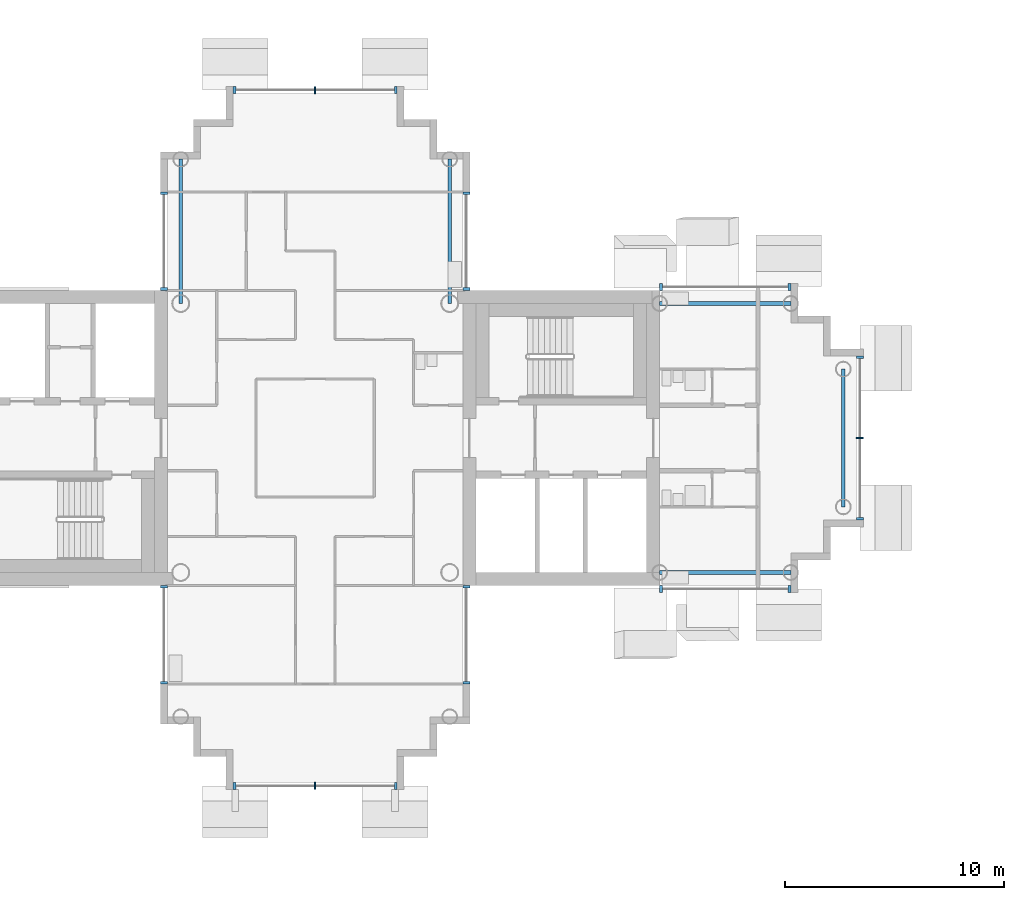
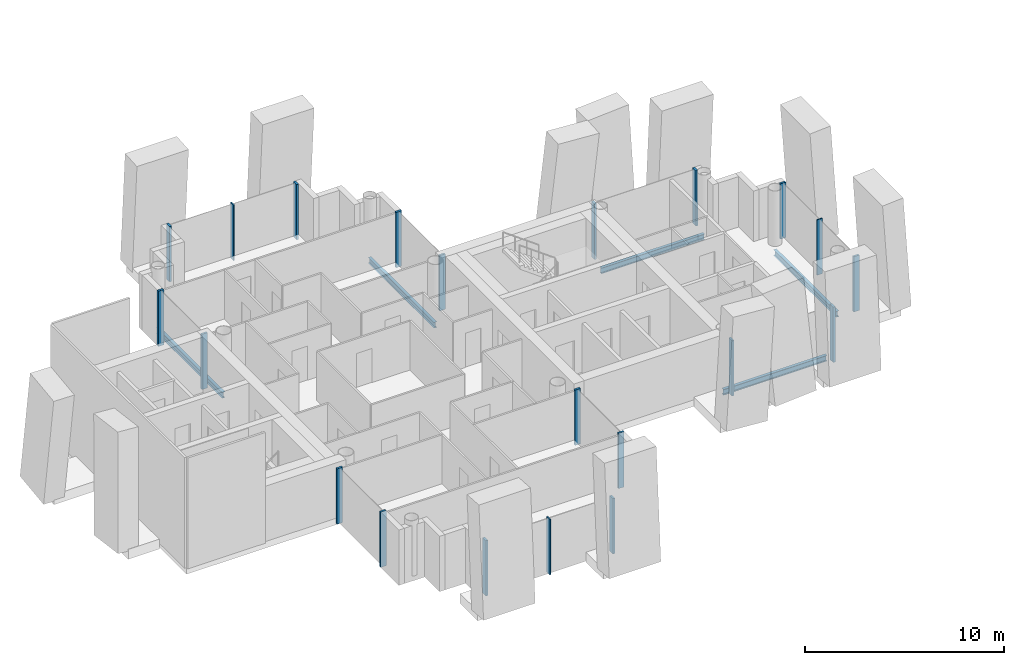
# One storey, part 3 of 19: 21 members, 5 beams, 9 elements without a shape of their own.
"""IFC4 building model written with IfcOpenShell, lengths in metres."""

from ifc_helpers import new_model, si_unit, direction, frame, origin, origin_2d, place, context, subcontext, project, spatial, rectangle, i_section, extrude, material, layer, layer_set, material_profile, profile_set, type_object, element, aggregate, save


model = new_model("IFC4")

# Units and contexts
model_context = context("Model", 3, precision=1e-05, world=origin(), true_north=direction((0.0, 1.0)))
body_context = subcontext(model_context, "Body", "Model", "MODEL_VIEW")
ifc_project = project(units=[si_unit("LENGTHUNIT", "METRE"), si_unit("AREAUNIT", "SQUARE_METRE"), si_unit("VOLUMEUNIT", "CUBIC_METRE"), si_unit("PLANEANGLEUNIT", "RADIAN"), si_unit("MASSUNIT", "GRAM", prefix="KILO")], contexts=[model_context])

# Site, building, storey
site_placement = place(None, origin())
site = spatial("IfcSite", under=ifc_project, at=site_placement, CompositionType="ELEMENT")
building_placement = place(site_placement, origin())
building = spatial("IfcBuilding", under=site, at=building_placement, Name="Ipe Terrace Towers", CompositionType="ELEMENT")
storey_placement = place(building_placement, frame((0.0, 0.0, 189.199951171875)))
storey = spatial("IfcBuildingStorey", under=building, at=storey_placement, Name="L52", CompositionType="ELEMENT", Elevation=189.199951171875)

# Beams
ifc_material_1 = material(Name="Steel S355", Category="steel")
ifc_material_profile_1 = material_profile(ifc_material_1, i_section(OverallWidth=0.175048828125, OverallDepth=0.35009765625, WebThickness=0.007080078125, FlangeThickness=0.010986328125, at=origin_2d()), Name="H-350x175x7x11")
ifc_profile_set_1 = profile_set([ifc_material_profile_1], Name="Steel S355")
beam_type = type_object("IfcBeamType", Name="H04 EDGE BEAM H-350x175x7x11", PredefinedType="BEAM", material=ifc_profile_set_1)
for number, where, z_axis, x_axis, name in (
    (1, (-20.25, -6.14990234375, -0.574951171875), (1.0, 0.0, 0.0), (0.0, 1.0, 0.0), "Edge beam T1-EB-A01-A03"),
    (2, (-20.25, 6.14990234375, -0.574951171875), (1.0, 0.0, 0.0), (0.0, 1.0, 0.0), "Edge beam T1-EB-A02-A04"),
):
    element("IfcBeam", number, at=place(storey_placement, frame(where, z_axis=z_axis, x_axis=x_axis)), inside=storey, type_object=beam_type, Name=name, PredefinedType="BEAM", context=body_context, shape_type="SweptSolid", body=[
        extrude(i_section(OverallWidth=0.175048828125, OverallDepth=0.35009765625, WebThickness=0.007080078125, FlangeThickness=0.010986328125, at=origin_2d()), origin(), (0.0, 0.0, 1.0), 6.0),
    ])
beam_placement = place(storey_placement, frame((-11.85009765625, -3.14990234375, -0.574951171875), z_axis=(0.0, 1.0, 0.0), x_axis=(-1.0, 0.0, 0.0)))
element("IfcBeam", 3, at=beam_placement, inside=storey, type_object=beam_type, Name="Edge beam T1-EB-A05-A06", PredefinedType="BEAM", context=body_context, shape_type="SweptSolid", body=[
    extrude(i_section(OverallWidth=0.175048828125, OverallDepth=0.35009765625, WebThickness=0.007080078125, FlangeThickness=0.010986328125, at=origin_2d()), origin(), (0.0, 0.0, 1.0), 6.2998046875),
])
for number, where, z_axis, x_axis, name in (
    (4, (-29.85009765625, 12.75, -0.574951171875), (0.0, -1.0, 0.0), (1.0, 0.0, 0.0), "Edge beam T1-EB-B01-E03"),
    (5, (-42.14990234375, 12.75, -0.574951171875), (0.0, -1.0, 0.0), (1.0, 0.0, 0.0), "Edge beam T1-EB-B02-E04"),
):
    element("IfcBeam", number, at=place(storey_placement, frame(where, z_axis=z_axis, x_axis=x_axis)), inside=storey, type_object=beam_type, Name=name, PredefinedType="BEAM", context=body_context, shape_type="SweptSolid", body=[
        extrude(i_section(OverallWidth=0.175048828125, OverallDepth=0.35009765625, WebThickness=0.007080078125, FlangeThickness=0.010986328125, at=origin_2d()), origin(), (0.0, 0.0, 1.0), 6.60009765625),
    ])

# Curtain wall, members
ifc_material_2 = material(Name="Aluminium alloy 6063-T6", Category="aluminium")
ifc_layer = layer(ifc_material_2, 0.320068359375)
ifc_layer_set = layer_set([ifc_layer], Name="TOWER UNITISED CURTAIN WALL")
curtain_wall_type = type_object("IfcCurtainWallType", Name="TOWER UNITISED CURTAIN WALL", PredefinedType="NOTDEFINED", material=ifc_layer_set)
curtain_wall_1_placement = place(storey_placement, origin())
curtain_wall_1 = element("IfcCurtainWall", 6, at=curtain_wall_1_placement, inside=storey, type_object=curtain_wall_type, Name="T1-CW-L52-02a curtain wall", PredefinedType="NOTDEFINED")
ifc_material_3 = material(Name="Aluminium alloy 6063-T6", Category="aluminium")
ifc_material_profile_2 = material_profile(ifc_material_3, rectangle(XDim=0.320068359375, YDim=0.1201171875, at=origin_2d()), Name="TOWER UNITISED CORNER MULLION 320 x 120")
ifc_profile_set_2 = profile_set([ifc_material_profile_2], Name="Aluminium alloy 6063-T6")
member_type_1 = type_object("IfcMemberType", Name="TOWER UNITISED CORNER MULLION 320 x 120", PredefinedType="MULLION", material=ifc_profile_set_2)
member_1_placement = place(storey_placement, frame((-42.909912109375, -6.81005859375, -0.300048828125), z_axis=(0.0, 0.0, 1.0), x_axis=(-1.0, 0.0, 0.0)))
member_1 = element("IfcMember", 7, at=member_1_placement, type_object=member_type_1, Name="T1-CW-L52-02a mullion 1", PredefinedType="MULLION", context=body_context, shape_type="SweptSolid", body=[
    extrude(rectangle(XDim=0.320068359375, YDim=0.1201171875, at=origin_2d()), origin(), (0.0, 0.0, 1.0), 3.400146484375),
])
member_2_placement = place(storey_placement, frame((-42.909912109375, -11.18994140625, -0.300048828125), z_axis=(0.0, 0.0, 1.0), x_axis=(-1.0, 0.0, 0.0)))
member_2 = element("IfcMember", 8, at=member_2_placement, type_object=member_type_1, Name="T1-CW-L52-02a mullion 2", PredefinedType="MULLION", context=body_context, shape_type="SweptSolid", body=[
    extrude(rectangle(XDim=0.320068359375, YDim=0.1201171875, at=origin_2d()), origin(), (0.0, 0.0, 1.0), 3.400146484375),
])
aggregate(curtain_wall_1, [member_1, member_2])

curtain_wall_2_placement = place(storey_placement, origin())
curtain_wall_2 = element("IfcCurtainWall", 9, at=curtain_wall_2_placement, inside=storey, type_object=curtain_wall_type, Name="T1-CW-L52-08a curtain wall", PredefinedType="NOTDEFINED")
member_3_placement = place(storey_placement, frame((-39.68994140625, -15.909912109375, -0.300048828125), z_axis=(0.0, 0.0, 1.0), x_axis=(0.0, -1.0, 0.0)))
member_3 = element("IfcMember", 10, at=member_3_placement, type_object=member_type_1, Name="T1-CW-L52-08a mullion 1", PredefinedType="MULLION", context=body_context, shape_type="SweptSolid", body=[
    extrude(rectangle(XDim=0.320068359375, YDim=0.1201171875, at=origin_2d()), origin(), (0.0, 0.0, 1.0), 3.400146484375),
])
member_4_placement = place(storey_placement, frame((-32.31005859375, -15.909912109375, -0.300048828125), z_axis=(0.0, 0.0, 1.0), x_axis=(0.0, -1.0, 0.0)))
member_4 = element("IfcMember", 11, at=member_4_placement, type_object=member_type_1, Name="T1-CW-L52-08a mullion 3", PredefinedType="MULLION", context=body_context, shape_type="SweptSolid", body=[
    extrude(rectangle(XDim=0.320068359375, YDim=0.1201171875, at=origin_2d()), origin(), (0.0, 0.0, 1.0), 3.400146484375),
])

curtain_wall_3_placement = place(storey_placement, origin())
curtain_wall_3 = element("IfcCurtainWall", 12, at=curtain_wall_3_placement, inside=storey, type_object=curtain_wall_type, Name="T1-CW-L52-14a curtain wall", PredefinedType="NOTDEFINED")
member_5_placement = place(storey_placement, frame((-29.090087890625, -11.18994140625, -0.300048828125), z_axis=(0.0, 0.0, 1.0), x_axis=(1.0, 0.0, 0.0)))
member_5 = element("IfcMember", 13, at=member_5_placement, type_object=member_type_1, Name="T1-CW-L52-14a mullion 1", PredefinedType="MULLION", context=body_context, shape_type="SweptSolid", body=[
    extrude(rectangle(XDim=0.320068359375, YDim=0.1201171875, at=origin_2d()), origin(), (0.0, 0.0, 1.0), 3.400146484375),
])
member_6_placement = place(storey_placement, frame((-29.090087890625, -6.81005859375, -0.300048828125), z_axis=(0.0, 0.0, 1.0), x_axis=(1.0, 0.0, 0.0)))
member_6 = element("IfcMember", 14, at=member_6_placement, type_object=member_type_1, Name="T1-CW-L52-14a mullion 2", PredefinedType="MULLION", context=body_context, shape_type="SweptSolid", body=[
    extrude(rectangle(XDim=0.320068359375, YDim=0.1201171875, at=origin_2d()), origin(), (0.0, 0.0, 1.0), 3.400146484375),
])
aggregate(curtain_wall_3, [member_5, member_6])

curtain_wall_4_placement = place(storey_placement, origin())
curtain_wall_4 = element("IfcCurtainWall", 15, at=curtain_wall_4_placement, inside=storey, type_object=curtain_wall_type, Name="T1-CW-L52-16b curtain wall", PredefinedType="NOTDEFINED")
member_7_placement = place(storey_placement, frame((-20.18896484375, -6.909912109375, -0.300048828125), z_axis=(0.0, 0.0, 1.0), x_axis=(0.0, -1.0, 0.0)))
member_7 = element("IfcMember", 16, at=member_7_placement, type_object=member_type_1, Name="T1-CW-L52-16b mullion 1", PredefinedType="MULLION", context=body_context, shape_type="SweptSolid", body=[
    extrude(rectangle(XDim=0.320068359375, YDim=0.1201171875, at=origin_2d()), origin(), (0.0, 0.0, 1.0), 3.400146484375),
])
member_8_placement = place(storey_placement, frame((-14.31005859375, -6.909912109375, -0.300048828125), z_axis=(0.0, 0.0, 1.0), x_axis=(0.0, -1.0, 0.0)))
member_8 = element("IfcMember", 17, at=member_8_placement, type_object=member_type_1, Name="T1-CW-L52-16b mullion 2", PredefinedType="MULLION", context=body_context, shape_type="SweptSolid", body=[
    extrude(rectangle(XDim=0.320068359375, YDim=0.1201171875, at=origin_2d()), origin(), (0.0, 0.0, 1.0), 3.400146484375),
])
aggregate(curtain_wall_4, [member_7, member_8])

curtain_wall_5_placement = place(storey_placement, origin())
curtain_wall_5 = element("IfcCurtainWall", 18, at=curtain_wall_5_placement, inside=storey, type_object=curtain_wall_type, Name="T1-CW-L52-21a curtain wall", PredefinedType="NOTDEFINED")
member_9_placement = place(storey_placement, frame((-11.090087890625, -3.68994140625, -0.300048828125), z_axis=(0.0, 0.0, 1.0), x_axis=(1.0, 0.0, 0.0)))
member_9 = element("IfcMember", 19, at=member_9_placement, type_object=member_type_1, Name="T1-CW-L52-21a mullion 1", PredefinedType="MULLION", context=body_context, shape_type="SweptSolid", body=[
    extrude(rectangle(XDim=0.320068359375, YDim=0.1201171875, at=origin_2d()), origin(), (0.0, 0.0, 1.0), 3.400146484375),
])
member_10_placement = place(storey_placement, frame((-11.090087890625, 3.68994140625, -0.300048828125), z_axis=(0.0, 0.0, 1.0), x_axis=(1.0, 0.0, 0.0)))
member_10 = element("IfcMember", 20, at=member_10_placement, type_object=member_type_1, Name="T1-CW-L52-21a mullion 3", PredefinedType="MULLION", context=body_context, shape_type="SweptSolid", body=[
    extrude(rectangle(XDim=0.320068359375, YDim=0.1201171875, at=origin_2d()), origin(), (0.0, 0.0, 1.0), 3.400146484375),
])

curtain_wall_6_placement = place(storey_placement, origin())
curtain_wall_6 = element("IfcCurtainWall", 21, at=curtain_wall_6_placement, inside=storey, type_object=curtain_wall_type, Name="T1-CW-L52-26a curtain wall", PredefinedType="NOTDEFINED")
member_11_placement = place(storey_placement, frame((-14.31005859375, 6.909912109375, -0.300048828125), z_axis=(0.0, 0.0, 1.0), x_axis=(0.0, 1.0, 0.0)))
member_11 = element("IfcMember", 22, at=member_11_placement, type_object=member_type_1, Name="T1-CW-L52-26a mullion 1", PredefinedType="MULLION", context=body_context, shape_type="SweptSolid", body=[
    extrude(rectangle(XDim=0.320068359375, YDim=0.1201171875, at=origin_2d()), origin(), (0.0, 0.0, 1.0), 3.400146484375),
])
member_12_placement = place(storey_placement, frame((-20.18896484375, 6.909912109375, -0.300048828125), z_axis=(0.0, 0.0, 1.0), x_axis=(0.0, 1.0, 0.0)))
member_12 = element("IfcMember", 23, at=member_12_placement, type_object=member_type_1, Name="T1-CW-L52-26a mullion 2", PredefinedType="MULLION", context=body_context, shape_type="SweptSolid", body=[
    extrude(rectangle(XDim=0.320068359375, YDim=0.1201171875, at=origin_2d()), origin(), (0.0, 0.0, 1.0), 3.400146484375),
])
aggregate(curtain_wall_6, [member_11, member_12])

curtain_wall_7_placement = place(storey_placement, origin())
curtain_wall_7 = element("IfcCurtainWall", 24, at=curtain_wall_7_placement, inside=storey, type_object=curtain_wall_type, Name="T1-CW-L52-28a curtain wall", PredefinedType="NOTDEFINED")
member_13_placement = place(storey_placement, frame((-29.090087890625, 6.81005859375, -0.300048828125), z_axis=(0.0, 0.0, 1.0), x_axis=(1.0, 0.0, 0.0)))
member_13 = element("IfcMember", 25, at=member_13_placement, type_object=member_type_1, Name="T1-CW-L52-28a mullion 1", PredefinedType="MULLION", context=body_context, shape_type="SweptSolid", body=[
    extrude(rectangle(XDim=0.320068359375, YDim=0.1201171875, at=origin_2d()), origin(), (0.0, 0.0, 1.0), 3.400146484375),
])
member_14_placement = place(storey_placement, frame((-29.090087890625, 11.18994140625, -0.300048828125), z_axis=(0.0, 0.0, 1.0), x_axis=(1.0, 0.0, 0.0)))
member_14 = element("IfcMember", 26, at=member_14_placement, type_object=member_type_1, Name="T1-CW-L52-28a mullion 2", PredefinedType="MULLION", context=body_context, shape_type="SweptSolid", body=[
    extrude(rectangle(XDim=0.320068359375, YDim=0.1201171875, at=origin_2d()), origin(), (0.0, 0.0, 1.0), 3.400146484375),
])
aggregate(curtain_wall_7, [member_13, member_14])

curtain_wall_8_placement = place(storey_placement, origin())
curtain_wall_8 = element("IfcCurtainWall", 27, at=curtain_wall_8_placement, inside=storey, type_object=curtain_wall_type, Name="T1-CW-L52-34a curtain wall", PredefinedType="NOTDEFINED")
member_15_placement = place(storey_placement, frame((-32.31005859375, 15.909912109375, -0.300048828125), z_axis=(0.0, 0.0, 1.0), x_axis=(0.0, 1.0, 0.0)))
member_15 = element("IfcMember", 28, at=member_15_placement, type_object=member_type_1, Name="T1-CW-L52-34a mullion 1", PredefinedType="MULLION", context=body_context, shape_type="SweptSolid", body=[
    extrude(rectangle(XDim=0.320068359375, YDim=0.1201171875, at=origin_2d()), origin(), (0.0, 0.0, 1.0), 3.400146484375),
])
member_16_placement = place(storey_placement, frame((-39.68994140625, 15.909912109375, -0.300048828125), z_axis=(0.0, 0.0, 1.0), x_axis=(0.0, 1.0, 0.0)))
member_16 = element("IfcMember", 29, at=member_16_placement, type_object=member_type_1, Name="T1-CW-L52-34a mullion 3", PredefinedType="MULLION", context=body_context, shape_type="SweptSolid", body=[
    extrude(rectangle(XDim=0.320068359375, YDim=0.1201171875, at=origin_2d()), origin(), (0.0, 0.0, 1.0), 3.400146484375),
])

curtain_wall_9_placement = place(storey_placement, origin())
curtain_wall_9 = element("IfcCurtainWall", 30, at=curtain_wall_9_placement, inside=storey, type_object=curtain_wall_type, Name="T1-CW-L52-40a curtain wall", PredefinedType="NOTDEFINED")
member_17_placement = place(storey_placement, frame((-42.909912109375, 11.18994140625, -0.300048828125), z_axis=(0.0, 0.0, 1.0), x_axis=(-1.0, 0.0, 0.0)))
member_17 = element("IfcMember", 31, at=member_17_placement, type_object=member_type_1, Name="T1-CW-L52-40a mullion 1", PredefinedType="MULLION", context=body_context, shape_type="SweptSolid", body=[
    extrude(rectangle(XDim=0.320068359375, YDim=0.1201171875, at=origin_2d()), origin(), (0.0, 0.0, 1.0), 3.400146484375),
])
member_18_placement = place(storey_placement, frame((-42.909912109375, 6.81005859375, -0.300048828125), z_axis=(0.0, 0.0, 1.0), x_axis=(-1.0, 0.0, 0.0)))
member_18 = element("IfcMember", 32, at=member_18_placement, type_object=member_type_1, Name="T1-CW-L52-40a mullion 2", PredefinedType="MULLION", context=body_context, shape_type="SweptSolid", body=[
    extrude(rectangle(XDim=0.320068359375, YDim=0.1201171875, at=origin_2d()), origin(), (0.0, 0.0, 1.0), 3.400146484375),
])
aggregate(curtain_wall_9, [member_17, member_18])

# Member
ifc_material_4 = material(Name="Aluminium alloy 6063-T6", Category="aluminium")
ifc_material_profile_3 = material_profile(ifc_material_4, rectangle(XDim=0.320068359375, YDim=0.06494140625, at=origin_2d()), Name="TOWER UNITISED MULLION 320 x 65")
ifc_profile_set_3 = profile_set([ifc_material_profile_3], Name="Aluminium alloy 6063-T6")
member_type_2 = type_object("IfcMemberType", Name="TOWER UNITISED MULLION 320 x 65", PredefinedType="MULLION", material=ifc_profile_set_3)
member_19_placement = place(storey_placement, frame((-36.0, -15.909912109375, -0.300048828125), z_axis=(0.0, 0.0, 1.0), x_axis=(0.0, -1.0, 0.0)))
member_19 = element("IfcMember", 33, at=member_19_placement, type_object=member_type_2, Name="T1-CW-L52-08a mullion 2", PredefinedType="MULLION", context=body_context, shape_type="SweptSolid", body=[
    extrude(rectangle(XDim=0.320068359375, YDim=0.06494140625, at=origin_2d()), origin(), (0.0, 0.0, 1.0), 3.400146484375),
])

aggregate(curtain_wall_2, [member_3, member_19, member_4])

member_20_placement = place(storey_placement, frame((-11.090087890625, 0.0, -0.300048828125), z_axis=(0.0, 0.0, 1.0), x_axis=(1.0, 0.0, 0.0)))
member_20 = element("IfcMember", 34, at=member_20_placement, type_object=member_type_2, Name="T1-CW-L52-21a mullion 2", PredefinedType="MULLION", context=body_context, shape_type="SweptSolid", body=[
    extrude(rectangle(XDim=0.320068359375, YDim=0.06494140625, at=origin_2d()), origin(), (0.0, 0.0, 1.0), 3.400146484375),
])

aggregate(curtain_wall_5, [member_9, member_20, member_10])

member_21_placement = place(storey_placement, frame((-36.0, 15.909912109375, -0.300048828125), z_axis=(0.0, 0.0, 1.0), x_axis=(0.0, 1.0, 0.0)))
member_21 = element("IfcMember", 35, at=member_21_placement, type_object=member_type_2, Name="T1-CW-L52-34a mullion 2", PredefinedType="MULLION", context=body_context, shape_type="SweptSolid", body=[
    extrude(rectangle(XDim=0.320068359375, YDim=0.06494140625, at=origin_2d()), origin(), (0.0, 0.0, 1.0), 3.400146484375),
])

aggregate(curtain_wall_8, [member_15, member_21, member_16])

save(model, "model.ifc")
